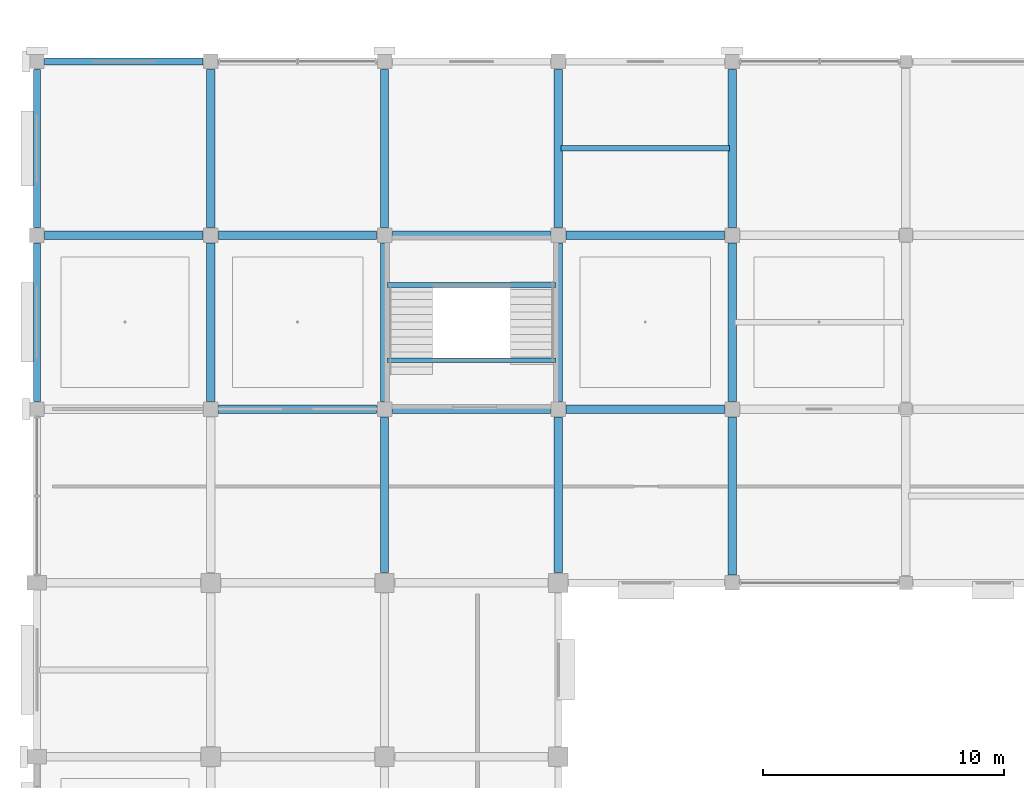
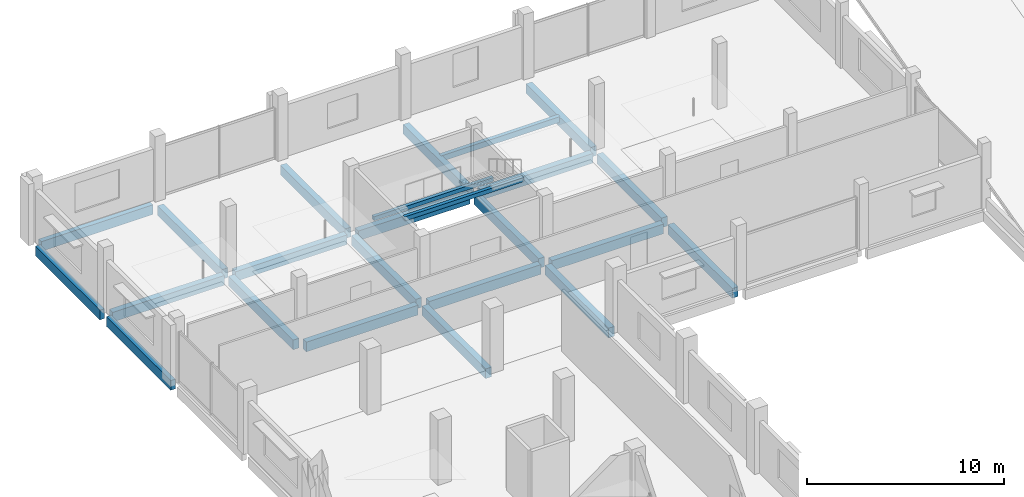
# One storey, part 20 of 108: 24 beams.
"""IFC4 building model written with IfcOpenShell, lengths in metres."""

from ifc_helpers import new_model, si_unit, direction, frame, origin, origin_2d, place, context, subcontext, project, spatial, rectangle, extrude, material, material_profile, profile_set, type_object, element, save


model = new_model("IFC4")

# Units and contexts
model_context = context("Model", 3, precision=1e-05, world=origin(), true_north=direction((0.0, 1.0)))
body_context = subcontext(model_context, "Body", "Model", "MODEL_VIEW")
ifc_project = project(units=[si_unit("LENGTHUNIT", "METRE"), si_unit("AREAUNIT", "SQUARE_METRE"), si_unit("VOLUMEUNIT", "CUBIC_METRE"), si_unit("PLANEANGLEUNIT", "RADIAN"), si_unit("MASSUNIT", "GRAM", prefix="KILO")], contexts=[model_context])

# Site, building, storey
site_placement = place(None, origin())
site = spatial("IfcSite", under=ifc_project, at=site_placement, CompositionType="ELEMENT")
building_placement = place(site_placement, origin())
building = spatial("IfcBuilding", under=site, at=building_placement, Name="Kangsadwip Square Police Headquarters", CompositionType="ELEMENT")
storey_placement = place(building_placement, frame((0.0, 0.0, 9.449951171875)))
storey = spatial("IfcBuildingStorey", under=building, at=storey_placement, Name="L02", CompositionType="ELEMENT", Elevation=9.449951171875)

# Beams
ifc_material_1 = material(Name="Concrete M35 (35 MPa)", Category="concrete")
ifc_material_profile_1 = material_profile(ifc_material_1, rectangle(XDim=0.35009765625, YDim=0.60009765625, at=origin_2d()), Name="RC BM 600X350")
ifc_profile_set_1 = profile_set([ifc_material_profile_1], Name="Concrete M35 (35 MPa)")
beam_type_1 = type_object("IfcBeamType", Name="RcBeam600x350", PredefinedType="BEAM", material=ifc_profile_set_1)
beam_1_placement = place(storey_placement, frame((7.52490234375, 100.800048828125, -0.5400390625), z_axis=(1.0, 0.0, 0.0), x_axis=(0.0, 1.0, 0.0)))
element("IfcBeam", 1, at=beam_1_placement, inside=storey, type_object=beam_type_1, Name="Beam BM-L02-X-01-14", PredefinedType="BEAM", context=body_context, shape_type="SweptSolid", body=[
    extrude(rectangle(XDim=0.35009765625, YDim=0.60009765625, at=origin_2d()), origin(), (0.0, 0.0, 1.0), 6.550048828125),
])
beam_2_placement = place(storey_placement, frame((14.72509765625, 100.800048828125, -0.5400390625), z_axis=(1.0, 0.0, 0.0), x_axis=(0.0, 1.0, 0.0)))
element("IfcBeam", 2, at=beam_2_placement, inside=storey, type_object=beam_type_1, Name="Beam BM-L02-X-02-14", PredefinedType="BEAM", context=body_context, shape_type="SweptSolid", body=[
    extrude(rectangle(XDim=0.35009765625, YDim=0.60009765625, at=origin_2d()), origin(), (0.0, 0.0, 1.0), 6.5498046875),
])
for number, where, z_axis, x_axis, name in (
    (3, (21.925048828125, 100.800048828125, -0.5400390625), (1.0, 0.0, 0.0), (0.0, 1.0, 0.0), "Beam BM-L02-X-03-14"),
    (4, (0.324951171875, 108.0, -0.5400390625), (1.0, 0.0, 0.0), (0.0, 1.0, 0.0), "Beam BM-L02-X-00-15"),
    (5, (7.52490234375, 108.0, -0.5400390625), (1.0, 0.0, 0.0), (0.0, 1.0, 0.0), "Beam BM-L02-X-01-15"),
):
    element("IfcBeam", number, at=place(storey_placement, frame(where, z_axis=z_axis, x_axis=x_axis)), inside=storey, type_object=beam_type_1, Name=name, PredefinedType="BEAM", context=body_context, shape_type="SweptSolid", body=[
        extrude(rectangle(XDim=0.35009765625, YDim=0.60009765625, at=origin_2d()), origin(), (0.0, 0.0, 1.0), 6.550048828125),
    ])
beam_3_placement = place(storey_placement, frame((14.72509765625, 108.0, -0.5400390625), z_axis=(1.0, 0.0, 0.0), x_axis=(0.0, 1.0, 0.0)))
element("IfcBeam", 6, at=beam_3_placement, inside=storey, type_object=beam_type_1, Name="Beam BM-L02-X-02-15", PredefinedType="BEAM", context=body_context, shape_type="SweptSolid", body=[
    extrude(rectangle(XDim=0.35009765625, YDim=0.60009765625, at=origin_2d()), origin(), (0.0, 0.0, 1.0), 6.5498046875),
])
for number, where, z_axis, x_axis, name in (
    (7, (21.925048828125, 108.0, -0.5400390625), (1.0, 0.0, 0.0), (0.0, 1.0, 0.0), "Beam BM-L02-X-03-15"),
    (8, (7.199951171875, 101.125, -0.5400390625), (0.0, 1.0, 0.0), (-1.0, 0.0, 0.0), "Beam BM-L02-Y-01-14"),
    (9, (7.199951171875, 108.324951171875, -0.5400390625), (0.0, 1.0, 0.0), (-1.0, 0.0, 0.0), "Beam BM-L02-Y-01-15"),
):
    element("IfcBeam", number, at=place(storey_placement, frame(where, z_axis=z_axis, x_axis=x_axis)), inside=storey, type_object=beam_type_1, Name=name, PredefinedType="BEAM", context=body_context, shape_type="SweptSolid", body=[
        extrude(rectangle(XDim=0.35009765625, YDim=0.60009765625, at=origin_2d()), origin(), (0.0, 0.0, 1.0), 6.550048828125),
    ])
beam_4_placement = place(storey_placement, frame((14.39990234375, 94.02490234375, -0.5400390625), z_axis=(0.0, 1.0, 0.0), x_axis=(-1.0, 0.0, 0.0)))
element("IfcBeam", 10, at=beam_4_placement, inside=storey, type_object=beam_type_1, Name="Beam BM-L02-Y-02-13", PredefinedType="BEAM", context=body_context, shape_type="SweptSolid", body=[
    extrude(rectangle(XDim=0.35009765625, YDim=0.60009765625, at=origin_2d()), origin(), (0.0, 0.0, 1.0), 6.4501953125),
])
for number, where, z_axis, x_axis, name in (
    (11, (14.39990234375, 101.125, -0.5400390625), (0.0, 1.0, 0.0), (-1.0, 0.0, 0.0), "Beam BM-L02-Y-02-14"),
    (12, (14.39990234375, 108.324951171875, -0.5400390625), (0.0, 1.0, 0.0), (-1.0, 0.0, 0.0), "Beam BM-L02-Y-02-15"),
):
    element("IfcBeam", number, at=place(storey_placement, frame(where, z_axis=z_axis, x_axis=x_axis)), inside=storey, type_object=beam_type_1, Name=name, PredefinedType="BEAM", context=body_context, shape_type="SweptSolid", body=[
        extrude(rectangle(XDim=0.35009765625, YDim=0.60009765625, at=origin_2d()), origin(), (0.0, 0.0, 1.0), 6.550048828125),
    ])
beam_5_placement = place(storey_placement, frame((21.60009765625, 94.02490234375, -0.5400390625), z_axis=(0.0, 1.0, 0.0), x_axis=(-1.0, 0.0, 0.0)))
element("IfcBeam", 13, at=beam_5_placement, inside=storey, type_object=beam_type_1, Name="Beam BM-L02-Y-03-13", PredefinedType="BEAM", context=body_context, shape_type="SweptSolid", body=[
    extrude(rectangle(XDim=0.35009765625, YDim=0.60009765625, at=origin_2d()), origin(), (0.0, 0.0, 1.0), 6.4501953125),
])
for number, where, z_axis, x_axis, name in (
    (14, (21.60009765625, 101.125, -0.5400390625), (0.0, 1.0, 0.0), (-1.0, 0.0, 0.0), "Beam BM-L02-Y-03-14"),
    (15, (21.60009765625, 108.324951171875, -0.5400390625), (0.0, 1.0, 0.0), (-1.0, 0.0, 0.0), "Beam BM-L02-Y-03-15"),
    (16, (28.800048828125, 93.925048828125, -0.5400390625), (0.0, 1.0, 0.0), (-1.0, 0.0, 0.0), "Beam BM-L02-Y-04-13"),
    (17, (28.800048828125, 101.125, -0.5400390625), (0.0, 1.0, 0.0), (-1.0, 0.0, 0.0), "Beam BM-L02-Y-04-14"),
    (18, (28.800048828125, 108.324951171875, -0.5400390625), (0.0, 1.0, 0.0), (-1.0, 0.0, 0.0), "Beam BM-L02-Y-04-15"),
):
    element("IfcBeam", number, at=place(storey_placement, frame(where, z_axis=z_axis, x_axis=x_axis)), inside=storey, type_object=beam_type_1, Name=name, PredefinedType="BEAM", context=body_context, shape_type="SweptSolid", body=[
        extrude(rectangle(XDim=0.35009765625, YDim=0.60009765625, at=origin_2d()), origin(), (0.0, 0.0, 1.0), 6.550048828125),
    ])
ifc_material_2 = material(Name="Concrete M35 (35 MPa)", Category="concrete")
ifc_material_profile_2 = material_profile(ifc_material_2, rectangle(XDim=0.22998046875, YDim=0.35009765625, at=origin_2d()), Name="RC JST 350X230")
ifc_profile_set_2 = profile_set([ifc_material_profile_2], Name="Concrete M35 (35 MPa)")
beam_type_2 = type_object("IfcBeamType", Name="RcJoist350x230", PredefinedType="JOIST", material=ifc_profile_set_2)
beam_6_placement = place(storey_placement, frame((21.7099609375, 111.60009765625, -0.4150390625), z_axis=(1.0, 0.0, 0.0), x_axis=(0.0, 1.0, 0.0)))
element("IfcBeam", 19, at=beam_6_placement, inside=storey, type_object=beam_type_2, Name="Secondary Joist JST-L02-03-15", PredefinedType="JOIST", context=body_context, shape_type="SweptSolid", body=[
    extrude(rectangle(XDim=0.22998046875, YDim=0.35009765625, at=origin_2d()), origin(), (0.0, 0.0, 1.0), 6.97998046875),
])
ifc_material_3 = material(Name="Concrete M30 (30 MPa)", Category="concrete")
ifc_material_profile_3 = material_profile(ifc_material_3, rectangle(XDim=0.199951171875, YDim=0.25, at=origin_2d()), Name="RC LNT 250X200")
ifc_profile_set_3 = profile_set([ifc_material_profile_3], Name="Concrete M30 (30 MPa)")
beam_type_3 = type_object("IfcBeamType", Name="RcLintel250x200", PredefinedType="LINTEL", material=ifc_profile_set_3)
for number, where, z_axis, x_axis, name in (
    (20, (14.5, 105.93994140625, 1.801025390625), (1.0, 0.0, 0.0), (0.0, 1.0, 0.0), "Stair Carriage and Landing Beam BM-ST-L02-094"),
    (21, (14.5, 102.820068359375, 3.68505859375), (1.0, 0.0, 0.0), (0.0, 1.0, 0.0), "Stair Carriage and Landing Beam BM-ST-L02-095"),
):
    element("IfcBeam", number, at=place(storey_placement, frame(where, z_axis=z_axis, x_axis=x_axis)), inside=storey, type_object=beam_type_3, Name=name, PredefinedType="BEAM", context=body_context, shape_type="SweptSolid", body=[
        extrude(rectangle(XDim=0.199951171875, YDim=0.25, at=origin_2d()), origin(), (0.0, 0.0, 1.0), 7.0),
    ])
ifc_material_4 = material(Name="Concrete M40 (40 MPa)", Category="concrete")
ifc_material_profile_4 = material_profile(ifc_material_4, rectangle(XDim=0.280029296875, YDim=0.60009765625, at=origin_2d()), Name="RC SPN 600X280")
ifc_profile_set_4 = profile_set([ifc_material_profile_4], Name="Concrete M40 (40 MPa)")
beam_type_4 = type_object("IfcBeamType", Name="RcSpandrel600x280", PredefinedType="SPANDREL", material=ifc_profile_set_4)
for number, where, z_axis, x_axis, name in (
    (22, (0.324951171875, 115.199951171875, -0.5400390625), (1.0, 0.0, 0.0), (0.0, 1.0, 0.0), "Beam BM-L02-X-00-16"),
    (23, (0.0, 101.125, -0.5400390625), (0.0, 1.0, 0.0), (-1.0, 0.0, 0.0), "Beam BM-L02-Y-00-14"),
    (24, (0.0, 108.324951171875, -0.5400390625), (0.0, 1.0, 0.0), (-1.0, 0.0, 0.0), "Beam BM-L02-Y-00-15"),
):
    element("IfcBeam", number, at=place(storey_placement, frame(where, z_axis=z_axis, x_axis=x_axis)), inside=storey, type_object=beam_type_4, Name=name, PredefinedType="SPANDREL", context=body_context, shape_type="SweptSolid", body=[
        extrude(rectangle(XDim=0.280029296875, YDim=0.60009765625, at=origin_2d()), origin(), (0.0, 0.0, 1.0), 6.550048828125),
    ])

save(model, "model.ifc")
